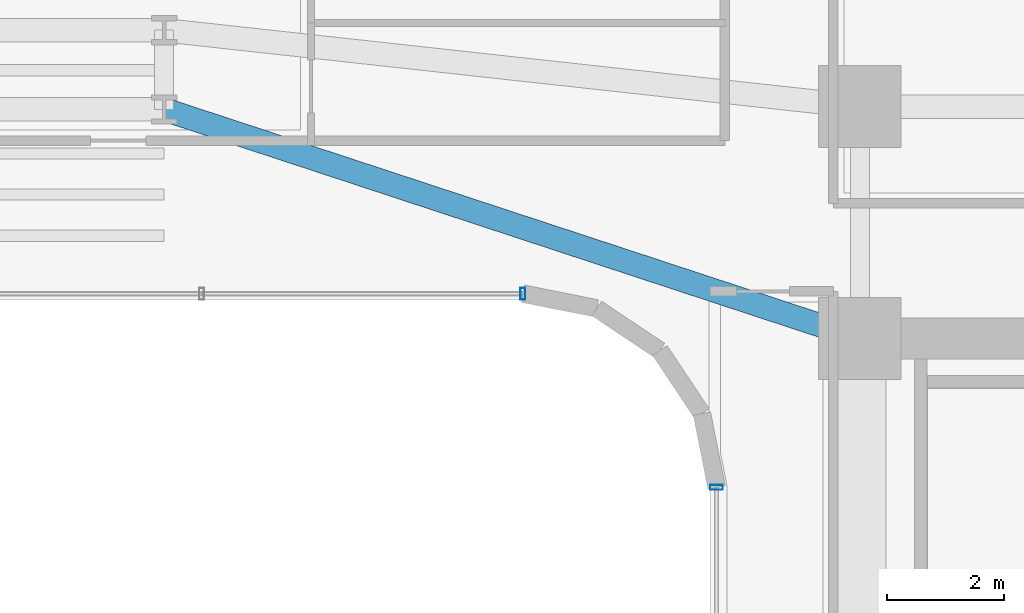
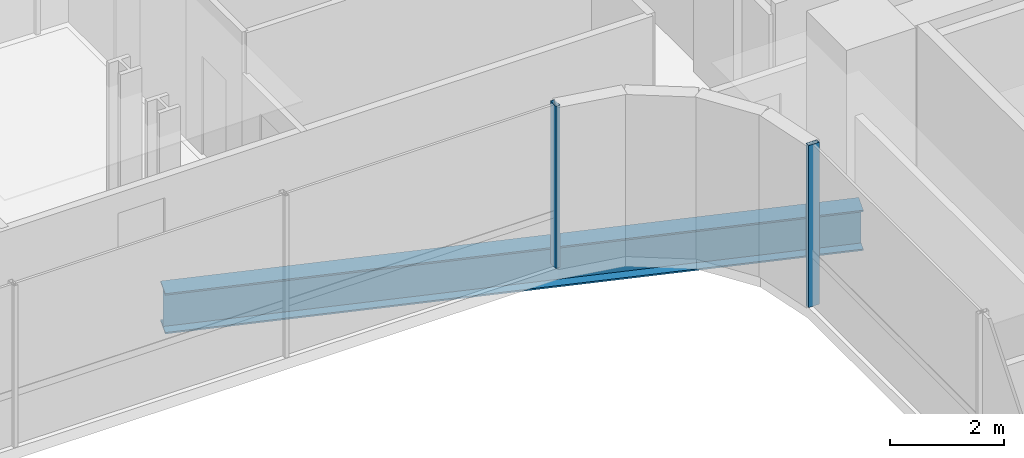
# One storey, part 17 of 41: 2 members, 1 beam, 2 elements without a shape of their own.
"""IFC4 building model written with IfcOpenShell, lengths in metres."""

from ifc_helpers import new_model, si_unit, direction, frame, origin, origin_2d, place, context, subcontext, project, spatial, hollow_rectangle, i_section, extrude, source, transform, mapped, material, material_profile, profile_set, type_object, element, aggregate, save


model = new_model("IFC4")

# Units and contexts
model_context = context("Model", 3, precision=1e-05, world=origin(), true_north=direction((0.0, 1.0)))
body_context = subcontext(model_context, "Body", "Model", "MODEL_VIEW")
ifc_project = project(units=[si_unit("LENGTHUNIT", "METRE"), si_unit("AREAUNIT", "SQUARE_METRE"), si_unit("VOLUMEUNIT", "CUBIC_METRE"), si_unit("PLANEANGLEUNIT", "RADIAN"), si_unit("MASSUNIT", "GRAM", prefix="KILO")], contexts=[model_context])

# Site, building, storey
site_placement = place(None, origin())
site = spatial("IfcSite", under=ifc_project, at=site_placement, CompositionType="ELEMENT")
building_placement = place(site_placement, origin())
building = spatial("IfcBuilding", under=site, at=building_placement, Name="Valdorenza Pilgrim Sanctuary Tower", CompositionType="ELEMENT")
storey_placement = place(building_placement, frame((0.0, 0.0, 88.89990234375)))
storey = spatial("IfcBuildingStorey", under=building, at=storey_placement, Name="L22", CompositionType="ELEMENT", Elevation=88.89990234375)

# Beam
ifc_material_1 = material(Name="Steel ASTM A992 Grade 50", Category="steel")
ifc_material_profile_1 = material_profile(ifc_material_1, i_section(OverallWidth=0.39990234375, OverallDepth=0.862060546875, WebThickness=0.019775390625, FlangeThickness=0.032470703125, at=origin_2d()), Name="W33X221")
ifc_profile_set_1 = profile_set([ifc_material_profile_1], Name="Steel ASTM A992 Grade 50")
beam_type = type_object("IfcBeamType", Name="STR-BM-GRD-W33", PredefinedType="BEAM", material=ifc_profile_set_1)
shared_shape_1 = source(origin(), body_context, "Body", "SweptSolid", [
    extrude(i_section(OverallWidth=0.39990234375, OverallDepth=0.862060546875, WebThickness=0.019775390625, FlangeThickness=0.032470703125, at=origin_2d()), origin(), (0.0, 0.0, 1.0), 12.475341796875),
])
beam_placement = place(storey_placement, frame((4.0, 13.449951171875, -0.6708984375), z_axis=(0.949881908141, -0.312608957943, 0.0), x_axis=(0.312608957943, 0.949881908141, 0.0)))
element("IfcBeam", 1, at=beam_placement, inside=storey, type_object=beam_type, Name="L22 Floor Girder KNK-G3", PredefinedType="BEAM", context=body_context, shape_type="MappedRepresentation", body=[
    mapped(shared_shape_1, transform((0.0, 0.0, 0.0), x_axis=(1.0, 0.0, 0.0), y_axis=(0.0, 1.0, 0.0), z_axis=(0.0, 0.0, 1.0), scale=1.0)),
])

# Curtain wall, member
ifc_material_2 = material(Name="Curtain-wall IGU glazing", Category="glass")
curtain_wall_type_1 = type_object("IfcCurtainWallType", Name="CW-SYS-02", PredefinedType="NOTDEFINED", material=ifc_material_2)
curtain_wall_1_placement = place(storey_placement, origin())
curtain_wall_1 = element("IfcCurtainWall", 2, at=curtain_wall_1_placement, inside=storey, type_object=curtain_wall_type_1, Name="L22 Curtain Wall CW-L22-1-36", PredefinedType="NOTDEFINED")
ifc_material_3 = material(Name="Anodised aluminium AW-6060", Category="aluminium")
ifc_material_profile_2 = material_profile(ifc_material_3, hollow_rectangle(XDim=0.0849609375, YDim=0.199951171875, WallThickness=0.0048828125, at=origin_2d()), Name="ALU-M 200x85x5")
ifc_profile_set_2 = profile_set([ifc_material_profile_2], Name="Anodised aluminium AW-6060")
member_type_1 = type_object("IfcMemberType", Name="CW-MUL-02", PredefinedType="MULLION", material=ifc_profile_set_2)
shared_shape_2 = source(origin(), body_context, "Body", "SweptSolid", [
    extrude(hollow_rectangle(XDim=0.0849609375, YDim=0.199951171875, WallThickness=0.0048828125, at=origin_2d()), origin(), (0.0, 0.0, 1.0), 3.460205078125),
])
member_1_placement = place(storey_placement, frame((10.11083984375, 10.31005859375, 0.0), z_axis=(0.0, 0.0, 1.0), x_axis=(-1.0, 0.0, 0.0)))
member_1 = element("IfcMember", 3, at=member_1_placement, type_object=member_type_1, Name="CW-L22-1-36 Mullion 1", PredefinedType="MULLION", context=body_context, shape_type="MappedRepresentation", body=[
    mapped(shared_shape_2, transform((0.0, 0.0, 0.0), x_axis=(1.0, 0.0, 0.0), y_axis=(0.0, 1.0, 0.0), z_axis=(0.0, 0.0, 1.0), scale=1.0)),
])
aggregate(curtain_wall_1, [member_1])

curtain_wall_type_2 = type_object("IfcCurtainWallType", Name="CW-SYS-03", PredefinedType="NOTDEFINED", material=ifc_material_2)
curtain_wall_2_placement = place(storey_placement, origin())
curtain_wall_2 = element("IfcCurtainWall", 4, at=curtain_wall_2_placement, inside=storey, type_object=curtain_wall_type_2, Name="L22 Curtain Wall CW-L22-1-31", PredefinedType="NOTDEFINED")
ifc_material_profile_3 = material_profile(ifc_material_3, hollow_rectangle(XDim=0.0849609375, YDim=0.219970703125, WallThickness=0.0048828125, at=origin_2d()), Name="ALU-M 220x85x5")
ifc_profile_set_3 = profile_set([ifc_material_profile_3], Name="Anodised aluminium AW-6060")
member_type_2 = type_object("IfcMemberType", Name="CW-MUL-03", PredefinedType="MULLION", material=ifc_profile_set_3)
shared_shape_3 = source(origin(), body_context, "Body", "SweptSolid", [
    extrude(hollow_rectangle(XDim=0.0849609375, YDim=0.219970703125, WallThickness=0.0048828125, at=origin_2d()), origin(), (0.0, 0.0, 1.0), 3.460205078125),
])
member_2_placement = place(storey_placement, frame((13.409912109375, 7.0107421875, 0.0), z_axis=(0.0, 0.0, 1.0), x_axis=(0.0, 1.0, 0.0)))
member_2 = element("IfcMember", 5, at=member_2_placement, type_object=member_type_2, Name="CW-L22-1-31 Mullion 4", PredefinedType="MULLION", context=body_context, shape_type="MappedRepresentation", body=[
    mapped(shared_shape_3, transform((0.0, 0.0, 0.0), x_axis=(1.0, 0.0, 0.0), y_axis=(0.0, 1.0, 0.0), z_axis=(0.0, 0.0, 1.0), scale=1.0)),
])
aggregate(curtain_wall_2, [member_2])

save(model, "model.ifc")
